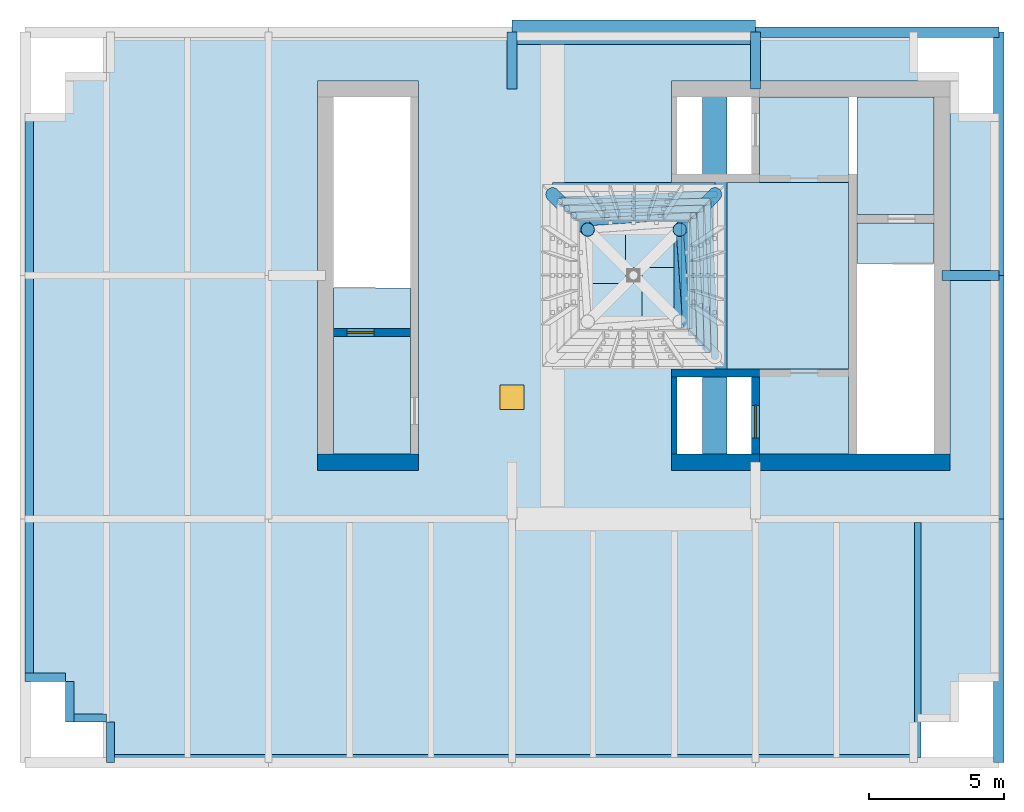
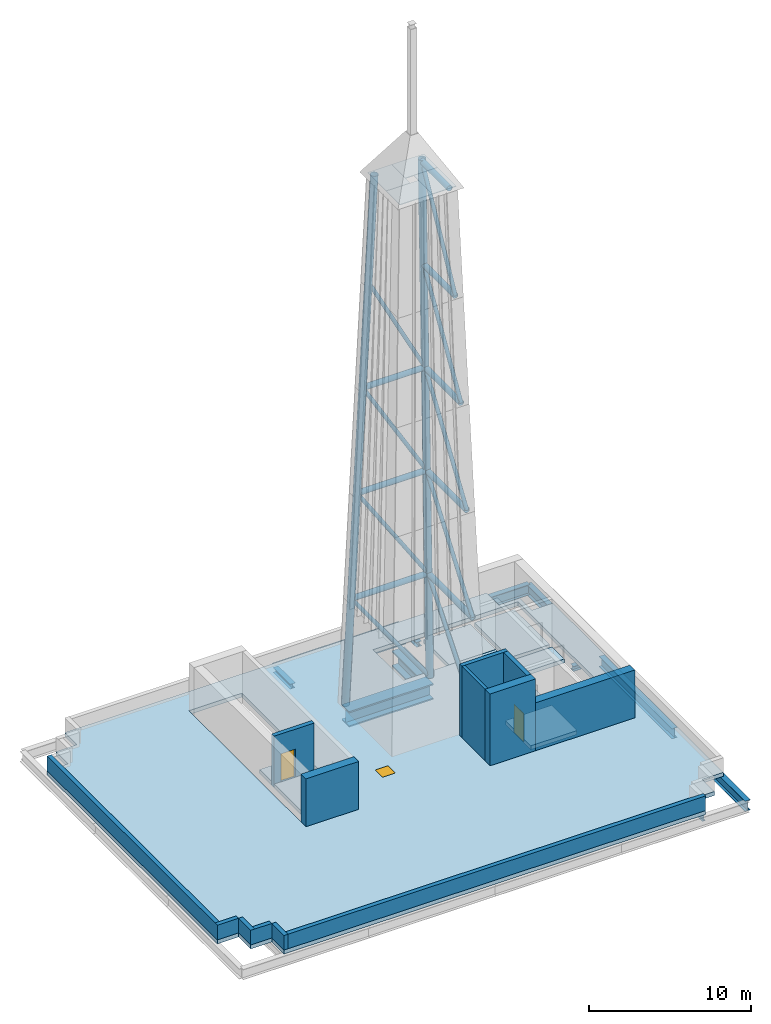
# One storey, part 3 of 8: 22 members, 13 walls, 8 beams, 7 slabs, 4 plates, 2 doors, 1 window, 3 openings.
"""IFC4 building model written with IfcOpenShell, lengths in metres."""

from ifc_helpers import new_model, si_unit, direction, frame, frame_2d, origin, origin_2d, place, context, subcontext, project, spatial, polyline, rectangle, hollow_circle, i_section, outline, extrude, material, layer, layer_set, material_profile, profile_set, type_object, element, fill, save


model = new_model("IFC4")

# Units and contexts
model_context = context("Model", 3, precision=1e-05, world=origin(), true_north=direction((0.0, 1.0)))
body_context = subcontext(model_context, "Body", "Model", "MODEL_VIEW")
ifc_project = project(units=[si_unit("LENGTHUNIT", "METRE"), si_unit("AREAUNIT", "SQUARE_METRE"), si_unit("VOLUMEUNIT", "CUBIC_METRE"), si_unit("PLANEANGLEUNIT", "RADIAN"), si_unit("MASSUNIT", "GRAM", prefix="KILO")], contexts=[model_context])

# Site, building, storey
site_placement = place(None, origin())
site = spatial("IfcSite", under=ifc_project, at=site_placement, CompositionType="ELEMENT")
building_placement = place(site_placement, origin())
building = spatial("IfcBuilding", under=site, at=building_placement, Name="Loomwork Tower", CompositionType="ELEMENT")
storey_placement = place(building_placement, frame((0.0, 0.0, 279.800048828125)))
storey = spatial("IfcBuildingStorey", under=building, at=storey_placement, Name="RF", CompositionType="ELEMENT", Elevation=279.800048828125)

# Members
ifc_material_1 = material(Name="Steel ASTM A992", Category="steel")
ifc_material_profile_1 = material_profile(ifc_material_1, i_section(OverallWidth=0.373291015625, OverallDepth=0.373291015625, WebThickness=0.016357421875, FlangeThickness=0.026123046875, at=origin_2d()), Name="W14x132")
ifc_profile_set_1 = profile_set([ifc_material_profile_1], Name="Steel ASTM A992")
member_type_1 = type_object("IfcMemberType", Name="CORE LINK STRUT W14x132", PredefinedType="STRUT", material=ifc_profile_set_1)
for number, where, z_axis, x_axis, name in (
    (1, (18.0, 27.0, -0.48681640625), (0.0, -1.0, 0.0), (1.0, 0.0, 0.0), "Core link strut G/4-18.000,24.900 RF"),
    (2, (27.0, 27.0, -0.48681640625), (0.0, -1.0, 0.0), (1.0, 0.0, 0.0), "Core link strut G/5-27.000,24.900 RF"),
    (3, (36.0, 18.0, -0.48681640625), (-1.0, 0.0, 0.0), (0.0, -1.0, 0.0), "Core link strut F/6-33.900,18.000 RF"),
):
    element("IfcMember", number, at=place(storey_placement, frame(where, z_axis=z_axis, x_axis=x_axis)), inside=storey, type_object=member_type_1, Name=name, PredefinedType="STRUT", context=body_context, shape_type="SweptSolid", body=[
        extrude(i_section(OverallWidth=0.373291015625, OverallDepth=0.373291015625, WebThickness=0.016357421875, FlangeThickness=0.026123046875, at=origin_2d()), origin(), (0.0, 0.0, 1.0), 2.10009765625),
    ])
ifc_material_2 = material(Name="Steel ASTM A500 Grade C", Category="steel")
ifc_material_profile_2 = material_profile(ifc_material_2, hollow_circle(Radius=0.136474609375, WallThickness=0.01171875, at=origin_2d()), Name="HSS10.750x0.500")
ifc_profile_set_2 = profile_set([ifc_material_profile_2], Name="Steel ASTM A500 Grade C")
member_type_2 = type_object("IfcMemberType", Name="CROWN FRAME SPIRE BRACE HSS10.750x0.500", PredefinedType="BRACE", material=ifc_profile_set_2)
for number, where, z_axis, x_axis, name in (
    (4, (25.5, 15.0, 0.0), (-0.026397938194, 0.582762370783, 0.812213745303), (-0.998975624231, -0.045251543525, 0.0), "Spire brace 0-8 m side 2"),
    (5, (25.5, 21.0, 0.0), (-0.582762370783, -0.026397938194, 0.812213745303), (0.045251543525, -0.998975624231, 0.0), "Spire brace 0-8 m side 3"),
):
    element("IfcMember", number, at=place(storey_placement, frame(where, z_axis=z_axis, x_axis=x_axis)), inside=storey, type_object=member_type_2, Name=name, PredefinedType="BRACE", context=body_context, shape_type="SweptSolid", body=[
        extrude(hollow_circle(Radius=0.136474609375, WallThickness=0.01171875, at=origin_2d()), origin(), (0.0, 0.0, 1.0), 9.849609375),
    ])
for number, where, z_axis, x_axis, name in (
    (6, (25.239990234375, 15.260009765625, 8.0), (-0.027209272828, 0.546254894205, 0.83717695025), (-0.998761756758, -0.049748901873, 0.0), "Spire brace 8-16 m side 2"),
    (7, (25.239990234375, 20.739990234375, 8.0), (-0.546254894205, -0.027209272828, 0.83717695025), (0.049748901873, -0.998761756758, 0.0), "Spire brace 8-16 m side 3"),
):
    element("IfcMember", number, at=place(storey_placement, frame(where, z_axis=z_axis, x_axis=x_axis)), inside=storey, type_object=member_type_2, Name=name, PredefinedType="BRACE", context=body_context, shape_type="SweptSolid", body=[
        extrude(hollow_circle(Radius=0.136474609375, WallThickness=0.01171875, at=origin_2d()), origin(), (0.0, 0.0, 1.0), 9.555908203125),
    ])
for number, where, z_axis, x_axis, name in (
    (8, (24.97998046875, 15.52001953125, 16.0), (-0.028011992888, 0.506346361587, 0.86187510137), (-0.998473252708, -0.055237339054, 0.0), "Spire brace 16-24 m side 2"),
    (9, (24.97998046875, 20.47998046875, 16.0), (-0.506346361587, -0.028011992888, 0.86187510137), (0.055237339054, -0.998473252708, 0.0), "Spire brace 16-24 m side 3"),
):
    element("IfcMember", number, at=place(storey_placement, frame(where, z_axis=z_axis, x_axis=x_axis)), inside=storey, type_object=member_type_2, Name=name, PredefinedType="BRACE", context=body_context, shape_type="SweptSolid", body=[
        extrude(hollow_circle(Radius=0.136474609375, WallThickness=0.01171875, at=origin_2d()), origin(), (0.0, 0.0, 1.0), 9.281982421875),
    ])
for number, where, z_axis, x_axis, name in (
    (10, (24.719970703125, 15.780029296875, 24.0), (-0.028794252892, 0.462898031706, 0.885943735935), (-0.998070908362, -0.062084312681, 0.0), "Spire brace 24-32 m side 2"),
    (11, (24.719970703125, 20.219970703125, 24.0), (-0.462898031706, -0.028794252892, 0.885943735935), (0.062084312681, -0.998070908362, 0.0), "Spire brace 24-32 m side 3"),
):
    element("IfcMember", number, at=place(storey_placement, frame(where, z_axis=z_axis, x_axis=x_axis)), inside=storey, type_object=member_type_2, Name=name, PredefinedType="BRACE", context=body_context, shape_type="SweptSolid", body=[
        extrude(hollow_circle(Radius=0.136474609375, WallThickness=0.01171875, at=origin_2d()), origin(), (0.0, 0.0, 1.0), 9.030029296875),
    ])
member_1_placement = place(storey_placement, frame((24.4599609375, 16.0400390625, 32.0), z_axis=(-0.0295422611, 0.415838531592, 0.908958508653), x_axis=(-0.997485984962, -0.070864023346, 0.0)))
element("IfcMember", 12, at=member_1_placement, inside=storey, type_object=member_type_2, Name="Spire brace 32-40 m side 2", PredefinedType="BRACE", context=body_context, shape_type="SweptSolid", body=[
    extrude(hollow_circle(Radius=0.136474609375, WallThickness=0.01171875, at=origin_2d()), origin(), (0.0, 0.0, 1.0), 8.80126953125),
])
ifc_material_3 = material(Name="Steel ASTM A500 Grade C", Category="steel")
ifc_material_profile_3 = material_profile(ifc_material_3, hollow_circle(Radius=0.25390625, WallThickness=0.01171875, at=origin_2d()), Name="HSS20.000x0.500")
ifc_profile_set_3 = profile_set([ifc_material_profile_3], Name="Steel ASTM A500 Grade C")
member_type_3 = type_object("IfcMemberType", Name="CROWN FRAME SPIRE LEG HSS20.000x0.500", PredefinedType="POST", material=ifc_profile_set_3)
for number, where, z_axis, x_axis, name in (
    (13, (25.5, 21.0, 0.0), (-0.03230324804, -0.03230324804, 0.998955955151), (0.707106781187, -0.707106781187, 0.0), "Spire leg 3"),
    (14, (19.5, 21.0, 0.0), (0.03230324804, -0.03230324804, 0.998955955151), (0.707106781187, 0.707106781187, 0.0), "Spire leg 4"),
):
    element("IfcMember", number, at=place(storey_placement, frame(where, z_axis=z_axis, x_axis=x_axis)), inside=storey, type_object=member_type_3, Name=name, PredefinedType="POST", context=body_context, shape_type="SweptSolid", body=[
        extrude(hollow_circle(Radius=0.25390625, WallThickness=0.01171875, at=origin_2d()), origin(), (0.0, 0.0, 1.0), 40.2451171875),
    ])
ifc_material_4 = material(Name="Steel ASTM A500 Grade C", Category="steel")
ifc_material_profile_4 = material_profile(ifc_material_4, hollow_circle(Radius=0.203125, WallThickness=0.01171875, at=origin_2d()), Name="HSS16.000x0.500")
ifc_profile_set_4 = profile_set([ifc_material_profile_4], Name="Steel ASTM A500 Grade C")
member_type_4 = type_object("IfcMemberType", Name="CROWN FRAME SPIRE RING HSS16.000x0.500", PredefinedType="STRUT", material=ifc_profile_set_4)
for number, where, z_axis, x_axis, name in (
    (15, (25.239990234375, 15.260009765625, 8.0), (0.0, 1.0, 0.0), (-1.0, 0.0, 0.0), "Spire ring 8 m side 2"),
    (16, (25.239990234375, 20.739990234375, 8.0), (-1.0, 0.0, 0.0), (0.0, -1.0, 0.0), "Spire ring 8 m side 3"),
):
    element("IfcMember", number, at=place(storey_placement, frame(where, z_axis=z_axis, x_axis=x_axis)), inside=storey, type_object=member_type_4, Name=name, PredefinedType="STRUT", context=body_context, shape_type="SweptSolid", body=[
        extrude(hollow_circle(Radius=0.203125, WallThickness=0.01171875, at=origin_2d()), origin(), (0.0, 0.0, 1.0), 5.47998046875),
    ])
for number, where, z_axis, x_axis, name in (
    (17, (24.97998046875, 15.52001953125, 16.0), (0.0, 1.0, 0.0), (-1.0, 0.0, 0.0), "Spire ring 16 m side 2"),
    (18, (24.97998046875, 20.47998046875, 16.0), (-1.0, 0.0, 0.0), (0.0, -1.0, 0.0), "Spire ring 16 m side 3"),
):
    element("IfcMember", number, at=place(storey_placement, frame(where, z_axis=z_axis, x_axis=x_axis)), inside=storey, type_object=member_type_4, Name=name, PredefinedType="STRUT", context=body_context, shape_type="SweptSolid", body=[
        extrude(hollow_circle(Radius=0.203125, WallThickness=0.01171875, at=origin_2d()), origin(), (0.0, 0.0, 1.0), 4.9599609375),
    ])
for number, where, z_axis, x_axis, name in (
    (19, (24.719970703125, 15.780029296875, 24.0), (0.0, 1.0, 0.0), (-1.0, 0.0, 0.0), "Spire ring 24 m side 2"),
    (20, (24.719970703125, 20.219970703125, 24.0), (-1.0, 0.0, 0.0), (0.0, -1.0, 0.0), "Spire ring 24 m side 3"),
):
    element("IfcMember", number, at=place(storey_placement, frame(where, z_axis=z_axis, x_axis=x_axis)), inside=storey, type_object=member_type_4, Name=name, PredefinedType="STRUT", context=body_context, shape_type="SweptSolid", body=[
        extrude(hollow_circle(Radius=0.203125, WallThickness=0.01171875, at=origin_2d()), origin(), (0.0, 0.0, 1.0), 4.43994140625),
    ])
member_2_placement = place(storey_placement, frame((24.4599609375, 16.0400390625, 32.0), z_axis=(0.0, 1.0, 0.0), x_axis=(-1.0, 0.0, 0.0)))
element("IfcMember", 21, at=member_2_placement, inside=storey, type_object=member_type_4, Name="Spire ring 32 m side 2", PredefinedType="STRUT", context=body_context, shape_type="SweptSolid", body=[
    extrude(hollow_circle(Radius=0.203125, WallThickness=0.01171875, at=origin_2d()), origin(), (0.0, 0.0, 1.0), 3.919921875),
])
member_3_placement = place(storey_placement, frame((24.199951171875, 16.300048828125, 40.0), z_axis=(0.0, 1.0, 0.0), x_axis=(-1.0, 0.0, 0.0)))
element("IfcMember", 22, at=member_3_placement, inside=storey, type_object=member_type_4, Name="Spire ring 40 m side 2", PredefinedType="STRUT", context=body_context, shape_type="SweptSolid", body=[
    extrude(hollow_circle(Radius=0.203125, WallThickness=0.01171875, at=origin_2d()), origin(), (0.0, 0.0, 1.0), 3.39990234375),
])

# Beams
ifc_material_5 = material(Name="Steel ASTM A992", Category="steel")
ifc_material_profile_5 = material_profile(ifc_material_5, i_section(OverallWidth=0.228271484375, OverallDepth=0.607177734375, WebThickness=0.01123046875, FlangeThickness=0.017333984375, at=origin_2d()), Name="W24x76")
ifc_profile_set_5 = profile_set([ifc_material_profile_5], Name="Steel ASTM A992")
beam_type_1 = type_object("IfcBeamType", Name="ROOF JOIST W24x76", PredefinedType="JOIST", material=ifc_profile_set_5)
beam_1_placement = place(storey_placement, frame((33.0, 0.18994140625, -0.603515625), z_axis=(0.0, 1.0, 0.0), x_axis=(-1.0, 0.0, 0.0)))
element("IfcBeam", 23, at=beam_1_placement, inside=storey, type_object=beam_type_1, Name="Roof Joist 33.000,0.000-33.000,9.000 RF", PredefinedType="JOIST", context=body_context, shape_type="SweptSolid", body=[
    extrude(i_section(OverallWidth=0.228271484375, OverallDepth=0.607177734375, WebThickness=0.01123046875, FlangeThickness=0.017333984375, at=origin_2d()), origin(), (0.0, 0.0, 1.0), 8.677001953125),
])
ifc_material_6 = material(Name="Steel ASTM A992", Category="steel")
ifc_material_profile_6 = material_profile(ifc_material_6, i_section(OverallWidth=0.381103515625, OverallDepth=0.77978515625, WebThickness=0.01806640625, FlangeThickness=0.0302734375, at=origin_2d()), Name="W30x191")
ifc_profile_set_6 = profile_set([ifc_material_profile_6], Name="Steel ASTM A992")
beam_type_2 = type_object("IfcBeamType", Name="SPANDREL GIRDER W30x191", PredefinedType="SPANDREL", material=ifc_profile_set_6)
for number, where, z_axis, x_axis, name in (
    (24, (27.0, 27.0, -0.68994140625), (1.0, 0.0, 0.0), (0.0, 1.0, 0.0), "Spandrel Girder G/5-G/6 RF"),
    (25, (36.0, 0.0, -0.68994140625), (0.0, 1.0, 0.0), (-1.0, 0.0, 0.0), "Spandrel Girder D/6-E/6 RF"),
    (26, (36.0, 9.0, -0.68994140625), (0.0, 1.0, 0.0), (-1.0, 0.0, 0.0), "Spandrel Girder E/6-F/6 RF"),
    (27, (36.0, 18.0, -0.68994140625), (0.0, 1.0, 0.0), (-1.0, 0.0, 0.0), "Spandrel Girder F/6-G/6 RF"),
):
    element("IfcBeam", number, at=place(storey_placement, frame(where, z_axis=z_axis, x_axis=x_axis)), inside=storey, type_object=beam_type_2, Name=name, PredefinedType="SPANDREL", context=body_context, shape_type="SweptSolid", body=[
        extrude(i_section(OverallWidth=0.381103515625, OverallDepth=0.77978515625, WebThickness=0.01806640625, FlangeThickness=0.0302734375, at=origin_2d()), origin(), (0.0, 0.0, 1.0), 9.0),
    ])
ifc_material_7 = material(Name="Steel ASTM A572 Grade 50 plate", Category="steel")
ifc_material_profile_7 = material_profile(ifc_material_7, i_section(OverallWidth=0.89990234375, OverallDepth=1.179931640625, WebThickness=0.030029296875, FlangeThickness=0.10009765625, at=origin_2d()), Name="PG1180x900")
ifc_profile_set_7 = profile_set([ifc_material_profile_7], Name="Steel ASTM A572 Grade 50 plate")
beam_type_3 = type_object("IfcBeamType", Name="SPIRE BASE GIRDER PG1180x900", PredefinedType="BEAM", material=ifc_profile_set_7)
beam_2_placement = place(storey_placement, frame((25.5, 11.10009765625, -0.89013671875), z_axis=(0.0, 1.0, 0.0), x_axis=(-1.0, 0.0, 0.0)))
element("IfcBeam", 28, at=beam_2_placement, inside=storey, type_object=beam_type_3, Name="Spire base girder x 25.5", PredefinedType="BEAM", context=body_context, shape_type="SweptSolid", body=[
    extrude(i_section(OverallWidth=0.89990234375, OverallDepth=1.179931640625, WebThickness=0.030029296875, FlangeThickness=0.10009765625, at=origin_2d()), origin(), (0.0, 0.0, 1.0), 13.7998046875),
])
beam_3_placement = place(storey_placement, frame((19.5, 21.0, -0.89013671875), z_axis=(1.0, 0.0, 0.0), x_axis=(0.0, 1.0, 0.0)))
element("IfcBeam", 29, at=beam_3_placement, inside=storey, type_object=beam_type_3, Name="Spire base girder y 21", PredefinedType="BEAM", context=body_context, shape_type="SweptSolid", body=[
    extrude(i_section(OverallWidth=0.89990234375, OverallDepth=1.179931640625, WebThickness=0.030029296875, FlangeThickness=0.10009765625, at=origin_2d()), origin(), (0.0, 0.0, 1.0), 6.0),
])
ifc_material_8 = material(Name="Steel ASTM A572 Grade 50 plate", Category="steel")
ifc_material_profile_8 = material_profile(ifc_material_8, i_section(OverallWidth=0.89990234375, OverallDepth=1.179931640625, WebThickness=0.030029296875, FlangeThickness=0.10009765625, at=origin_2d()), Name="PG1180x900")
ifc_profile_set_8 = profile_set([ifc_material_profile_8], Name="Steel ASTM A572 Grade 50 plate")
beam_type_4 = type_object("IfcBeamType", Name="SPIRE CARRIER SPANDREL PG1180x900", PredefinedType="SPANDREL", material=ifc_profile_set_8)
beam_4_placement = place(storey_placement, frame((18.0, 27.0, -0.89013671875), z_axis=(1.0, 0.0, 0.0), x_axis=(0.0, 1.0, 0.0)))
element("IfcBeam", 30, at=beam_4_placement, inside=storey, type_object=beam_type_4, Name="Spire Carrier Spandrel G/4-G/5 RF", PredefinedType="SPANDREL", context=body_context, shape_type="SweptSolid", body=[
    extrude(i_section(OverallWidth=0.89990234375, OverallDepth=1.179931640625, WebThickness=0.030029296875, FlangeThickness=0.10009765625, at=origin_2d()), origin(), (0.0, 0.0, 1.0), 9.0),
])

# Plates
ifc_material_9 = material(Name="Steel grating, galvanised", Category="steel")
ifc_layer_1 = layer(ifc_material_9, 0.050048828125)
ifc_layer_set_1 = layer_set([ifc_layer_1], Name="CROWN FRAME SPIRE CAP GRATING")
plate_type = type_object("IfcPlateType", Name="CROWN FRAME SPIRE CAP GRATING", PredefinedType="SHEET", material=ifc_layer_set_1)
plate_1_placement = place(storey_placement, frame((21.64990234375, 16.85009765625, 40.203125), z_axis=(0.0, 0.0, 1.0), x_axis=(1.0, 0.0, 0.0)))
element("IfcPlate", 31, at=plate_1_placement, inside=storey, type_object=plate_type, Name="Spire cap grating 1", PredefinedType="SHEET", context=body_context, shape_type="SweptSolid", body=[
    extrude(rectangle(XDim=2.300048828125, YDim=1.699951171875, at=origin_2d()), origin(), (0.0, 0.0, 1.0), 0.050048828125),
])
plate_2_placement = place(storey_placement, frame((23.64990234375, 17.14990234375, 40.203125), z_axis=(0.0, 0.0, 1.0), x_axis=(1.0, 0.0, 0.0)))
element("IfcPlate", 32, at=plate_2_placement, inside=storey, type_object=plate_type, Name="Spire cap grating 2", PredefinedType="SHEET", context=body_context, shape_type="SweptSolid", body=[
    extrude(rectangle(XDim=1.699951171875, YDim=2.300048828125, at=origin_2d()), origin(), (0.0, 0.0, 1.0), 0.050048828125),
])
plate_3_placement = place(storey_placement, frame((23.35009765625, 19.14990234375, 40.203125), z_axis=(0.0, 0.0, 1.0), x_axis=(1.0, 0.0, 0.0)))
element("IfcPlate", 33, at=plate_3_placement, inside=storey, type_object=plate_type, Name="Spire cap grating 3", PredefinedType="SHEET", context=body_context, shape_type="SweptSolid", body=[
    extrude(rectangle(XDim=2.300048828125, YDim=1.699951171875, at=origin_2d()), origin(), (0.0, 0.0, 1.0), 0.050048828125),
])
plate_4_placement = place(storey_placement, frame((21.35009765625, 18.85009765625, 40.203125), z_axis=(0.0, 0.0, 1.0), x_axis=(1.0, 0.0, 0.0)))
element("IfcPlate", 34, at=plate_4_placement, inside=storey, type_object=plate_type, Name="Spire cap grating 4", PredefinedType="SHEET", context=body_context, shape_type="SweptSolid", body=[
    extrude(rectangle(XDim=1.699951171875, YDim=2.300048828125, at=origin_2d()), origin(), (0.0, 0.0, 1.0), 0.050048828125),
])

# Slabs
ifc_material_10 = material(Name="Concrete 5000 psi (34 MPa) on composite metal deck", Category="concrete")
ifc_layer_2 = layer(ifc_material_10, 0.300048828125)
ifc_layer_set_2 = layer_set([ifc_layer_2], Name="Floor slab 300")
slab_type_1 = type_object("IfcSlabType", Name="Floor slab 300", PredefinedType="FLOOR", material=ifc_layer_set_2)
slab_1_placement = place(storey_placement, frame((0.0, 0.0, -0.300048828125)))
element("IfcSlab", 35, at=slab_1_placement, inside=storey, type_object=slab_type_1, Name="Stair A head-house floor slab", PredefinedType="FLOOR", context=body_context, shape_type="SweptSolid", body=[
    extrude(outline(polyline([(14.25, 11.39990234375), (11.39990234375, 11.39990234375), (11.39990234375, 15.75), (14.25, 15.75), (14.25, 11.39990234375)])), origin(), (0.0, 0.0, 1.0), 0.300048828125),
])
slab_2_placement = place(storey_placement, frame((0.0, 0.0, -0.300048828125)))
element("IfcSlab", 36, at=slab_2_placement, inside=storey, type_object=slab_type_1, Name="Stair B head-house floor slab", PredefinedType="FLOOR", context=body_context, shape_type="SweptSolid", body=[
    extrude(outline(polyline([(33.60009765625, 20.25), (30.75, 20.25), (30.75, 24.60009765625), (33.60009765625, 24.60009765625), (33.60009765625, 20.25)])), origin(), (0.0, 0.0, 1.0), 0.300048828125),
])
slab_3_placement = place(storey_placement, frame((0.0, 0.0, -0.300048828125)))
element("IfcSlab", 37, at=slab_3_placement, inside=storey, type_object=slab_type_1, Name="Stair B head-house floor slab bay 1", PredefinedType="FLOOR", context=body_context, shape_type="SweptSolid", body=[
    extrude(outline(polyline([(30.449951171875, 14.550048828125), (30.449951171875, 11.39990234375), (27.14990234375, 11.39990234375), (27.14990234375, 14.25), (27.14990234375, 14.550048828125), (30.449951171875, 14.550048828125)])), origin(), (0.0, 0.0, 1.0), 0.300048828125),
])
slab_4_placement = place(storey_placement, frame((0.0, 0.0, -0.300048828125)))
element("IfcSlab", 38, at=slab_4_placement, inside=storey, type_object=slab_type_1, Name="Stair B head-house floor slab bay 2", PredefinedType="FLOOR", context=body_context, shape_type="SweptSolid", body=[
    extrude(outline(polyline([(27.14990234375, 21.449951171875), (27.14990234375, 21.75), (27.14990234375, 24.60009765625), (30.449951171875, 24.60009765625), (30.449951171875, 21.449951171875), (27.14990234375, 21.449951171875)])), origin(), (0.0, 0.0, 1.0), 0.300048828125),
])

# Slab, opening, window
ifc_material_11 = material(Name="Concrete 5000 psi (34 MPa) on composite metal deck", Category="concrete")
ifc_layer_3 = layer(ifc_material_11, 0.300048828125)
ifc_layer_set_3 = layer_set([ifc_layer_3], Name="Roof slab 300")
slab_type_2 = type_object("IfcSlabType", Name="Roof slab 300", PredefinedType="ROOF", material=ifc_layer_set_3)
slab_5_placement = place(storey_placement, frame((0.0, 0.0, -0.300048828125)))
slab_5 = element("IfcSlab", 39, at=slab_5_placement, inside=storey, type_object=slab_type_2, Name="Main roof slab", PredefinedType="ROOF", context=body_context, shape_type="SweptSolid", body=[
    extrude(outline(polyline([(3.0, 1.5), (1.5, 1.5), (1.5, 3.0), (0.0, 3.0), (0.0, 24.0), (1.5, 24.0), (1.5, 25.5), (3.0, 25.5), (3.0, 27.0), (33.0, 27.0), (33.0, 25.5), (34.5, 25.5), (34.5, 24.0), (36.0, 24.0), (36.0, 3.0), (34.5, 3.0), (34.5, 1.5), (33.0, 1.5), (33.0, 0.0), (3.0, 0.0), (3.0, 1.5)]), holes=[polyline([(14.550048828125, 10.800048828125), (14.550048828125, 25.199951171875), (10.800048828125, 25.199951171875), (10.800048828125, 10.800048828125), (14.550048828125, 10.800048828125)]), polyline([(23.89990234375, 10.800048828125), (30.449951171875, 10.800048828125), (30.60009765625, 10.800048828125), (34.199951171875, 10.800048828125), (34.199951171875, 25.199951171875), (30.60009765625, 25.199951171875), (30.449951171875, 25.199951171875), (23.89990234375, 25.199951171875), (23.89990234375, 21.449951171875), (30.449951171875, 21.449951171875), (30.449951171875, 14.550048828125), (23.89990234375, 14.550048828125), (23.89990234375, 10.800048828125)])]), origin(), (0.0, 0.0, 1.0), 0.300048828125),
])
opening_1_placement = place(slab_5_placement, frame((18.0, 13.5, 0.0)))
opening_1 = element("IfcOpeningElement", 40, at=opening_1_placement, cuts=slab_5, Name="Opening RH1", PredefinedType="OPENING", context=body_context, shape_type="SweptSolid", body=[
    extrude(rectangle(XDim=0.89990234375, YDim=0.89990234375, at=origin_2d()), origin(), (0.0, 0.0, 1.0), 0.300048828125),
])
ifc_material_12 = material(Name="Aluminium hatch with insulated lid", Category="aluminium")
window_type = type_object("IfcWindowType", Name="Roof access hatch 900", PartitioningType="SINGLE_PANEL", PredefinedType="SKYLIGHT", material=ifc_material_12)
window_placement = place(opening_1_placement, frame((0.0, 0.0, 0.25)))
window = element("IfcWindow", 41, at=window_placement, inside=storey, type_object=window_type, Name="Roof access hatch RF", OverallHeight=0.89990234375, OverallWidth=0.89990234375, PartitioningType="SINGLE_PANEL", PredefinedType="SKYLIGHT", context=body_context, shape_type="SweptSolid", body=[
    extrude(rectangle(XDim=0.89990234375, YDim=0.89990234375, at=origin_2d()), origin(), (0.0, 0.0, 1.0), 0.050048828125),
])
fill(opening_1, window)

# Slabs
ifc_material_13 = material(Name="Concrete 5000 psi (34 MPa)", Category="concrete")
ifc_layer_4 = layer(ifc_material_13, 0.300048828125)
ifc_layer_set_4 = layer_set([ifc_layer_4], Name="Stair landing 300")
slab_type_3 = type_object("IfcSlabType", Name="Stair landing 300", PredefinedType="LANDING", material=ifc_layer_set_4)
slab_6_placement = place(storey_placement, frame((0.0, 0.0, -0.300048828125)))
element("IfcSlab", 42, at=slab_6_placement, inside=storey, type_object=slab_type_3, Name="Stair A top landing", PredefinedType="LANDING", context=body_context, shape_type="SweptSolid", body=[
    extrude(outline(polyline([(11.39990234375, 16.050048828125), (14.25, 16.050048828125), (14.25, 17.550048828125), (11.39990234375, 17.550048828125), (11.39990234375, 16.050048828125)])), origin(), (0.0, 0.0, 1.0), 0.300048828125),
])
slab_7_placement = place(storey_placement, frame((0.0, 0.0, -0.300048828125)))
element("IfcSlab", 43, at=slab_7_placement, inside=storey, type_object=slab_type_3, Name="Stair B top landing", PredefinedType="LANDING", context=body_context, shape_type="SweptSolid", body=[
    extrude(outline(polyline([(30.75, 18.449951171875), (33.60009765625, 18.449951171875), (33.60009765625, 19.949951171875), (30.75, 19.949951171875), (30.75, 18.449951171875)])), origin(), (0.0, 0.0, 1.0), 0.300048828125),
])

# Wall, opening, door
ifc_material_14 = material(Name="Concrete 14000 psi (97 MPa)", Category="concrete")
ifc_layer_5 = layer(ifc_material_14, 0.300048828125)
ifc_layer_set_5 = layer_set([ifc_layer_5], Name="Core shear wall 300")
wall_type_1 = type_object("IfcWallType", Name="Core shear wall 300", PredefinedType="SHEAR", material=ifc_layer_set_5)
wall_1_placement = place(storey_placement, frame((11.39990234375, 15.89990234375, -0.300048828125), z_axis=(0.0, 0.0, 1.0), x_axis=(1.0, 0.0, 0.0)))
wall_1 = element("IfcWall", 44, at=wall_1_placement, inside=storey, type_object=wall_type_1, Name="Stair A head-house wall stair RF", PredefinedType="SHEAR", context=body_context, shape_type="SweptSolid", body=[
    extrude(rectangle(XDim=2.85009765625, YDim=0.300048828125, at=frame_2d((1.425048828125, 0.0))), origin(), (0.0, 0.0, 1.0), 3.89990234375),
])
opening_2_placement = place(wall_1_placement, frame((0.5, 0.0, 0.300048828125)))
opening_2 = element("IfcOpeningElement", 45, at=opening_2_placement, cuts=wall_1, Name="Opening D4", PredefinedType="OPENING", context=body_context, shape_type="SweptSolid", body=[
    extrude(rectangle(XDim=1.0, YDim=2.10009765625, at=frame_2d((0.5, 1.050048828125))), frame((0.0, 0.159912109375, 0.0), z_axis=(0.0, -1.0, 0.0), x_axis=(1.0, 0.0, 0.0)), (0.0, 0.0, 1.0), 0.320068359375),
])
ifc_material_15 = material(Name="Hollow metal door and frame")
door_type_1 = type_object("IfcDoorType", Name="Stair door 1000", OperationType="SINGLE_SWING_RIGHT", PredefinedType="DOOR", material=ifc_material_15)
door_1_placement = place(opening_2_placement, origin())
door_1 = element("IfcDoor", 46, at=door_1_placement, inside=storey, type_object=door_type_1, Name="Stair A head-house stair door", OperationType="SINGLE_SWING_LEFT", OverallHeight=2.10009765625, OverallWidth=1.0, PredefinedType="DOOR", context=body_context, shape_type="SweptSolid", body=[
    extrude(rectangle(XDim=1.0, YDim=2.10009765625, at=frame_2d((0.5, 1.050048828125))), frame((0.0, 0.02490234375, 0.0), z_axis=(0.0, -1.0, 0.0), x_axis=(1.0, 0.0, 0.0)), (0.0, 0.0, 1.0), 0.050048828125),
])
fill(opening_2, door_1)

wall_2_placement = place(storey_placement, frame((27.0, 11.39990234375, -0.300048828125), z_axis=(0.0, 0.0, 1.0), x_axis=(0.0, 1.0, 0.0)))
wall_2 = element("IfcWall", 47, at=wall_2_placement, inside=storey, type_object=wall_type_1, Name="Stair B and fire service lift penthouse wall LF1-east RF", PredefinedType="SHEAR", context=body_context, shape_type="SweptSolid", body=[
    extrude(rectangle(XDim=2.85009765625, YDim=0.300048828125, at=frame_2d((1.425048828125, 0.0))), origin(), (0.0, 0.0, 1.0), 5.699951171875),
])
opening_3_placement = place(wall_2_placement, frame((0.60009765625, 0.0, 0.300048828125)))
opening_3 = element("IfcOpeningElement", 48, at=opening_3_placement, cuts=wall_2, Name="Opening LD2", PredefinedType="OPENING", context=body_context, shape_type="SweptSolid", body=[
    extrude(rectangle(XDim=1.199951171875, YDim=2.10009765625, at=frame_2d((0.60009765625, 1.050048828125))), frame((0.0, 0.159912109375, 0.0), z_axis=(0.0, -1.0, 0.0), x_axis=(1.0, 0.0, 0.0)), (0.0, 0.0, 1.0), 0.320068359375),
])
ifc_material_16 = material(Name="Hollow metal door and frame")
door_type_2 = type_object("IfcDoorType", Name="Lift landing door 1200", OperationType="SLIDING_TO_LEFT", PredefinedType="DOOR", material=ifc_material_16)
door_2_placement = place(opening_3_placement, origin())
door_2 = element("IfcDoor", 49, at=door_2_placement, inside=storey, type_object=door_type_2, Name="Lift landing door LF1", OperationType="SLIDING_TO_LEFT", OverallHeight=2.10009765625, OverallWidth=1.199951171875, PredefinedType="DOOR", context=body_context, shape_type="SweptSolid", body=[
    extrude(rectangle(XDim=1.199951171875, YDim=2.10009765625, at=frame_2d((0.60009765625, 1.050048828125))), frame((0.0, 0.02490234375, 0.0), z_axis=(0.0, -1.0, 0.0), x_axis=(1.0, 0.0, 0.0)), (0.0, 0.0, 1.0), 0.050048828125),
])
fill(opening_3, door_2)

# Walls
wall_3_placement = place(storey_placement, frame((23.89990234375, 14.39990234375, -0.300048828125), z_axis=(0.0, 0.0, 1.0), x_axis=(1.0, 0.0, 0.0)))
element("IfcWall", 50, at=wall_3_placement, inside=storey, type_object=wall_type_1, Name="Stair B and fire service lift penthouse wall LF1-front RF", PredefinedType="SHEAR", context=body_context, shape_type="SweptSolid", body=[
    extrude(rectangle(XDim=3.25, YDim=0.300048828125, at=frame_2d((1.625, 0.0))), origin(), (0.0, 0.0, 1.0), 5.699951171875),
])
ifc_material_17 = material(Name="Concrete 14000 psi (97 MPa)", Category="concrete")
ifc_layer_6 = layer(ifc_material_17, 0.60009765625)
ifc_layer_set_6 = layer_set([ifc_layer_6], Name="Core shear wall 600")
wall_type_2 = type_object("IfcWallType", Name="Core shear wall 600", PredefinedType="SHEAR", material=ifc_layer_set_6)
wall_4_placement = place(storey_placement, frame((10.800048828125, 11.10009765625, -0.300048828125), z_axis=(0.0, 0.0, 1.0), x_axis=(1.0, 0.0, 0.0)))
element("IfcWall", 51, at=wall_4_placement, inside=storey, type_object=wall_type_2, Name="Stair A head-house wall south RF", PredefinedType="SHEAR", context=body_context, shape_type="SweptSolid", body=[
    extrude(rectangle(XDim=3.75, YDim=0.60009765625, at=frame_2d((1.875, 0.0))), origin(), (0.0, 0.0, 1.0), 3.89990234375),
])
wall_5_placement = place(storey_placement, frame((23.89990234375, 11.10009765625, -0.300048828125), z_axis=(0.0, 0.0, 1.0), x_axis=(1.0, 0.0, 0.0)))
element("IfcWall", 52, at=wall_5_placement, inside=storey, type_object=wall_type_2, Name="Stair B and fire service lift penthouse wall LF1-south RF", PredefinedType="SHEAR", context=body_context, shape_type="SweptSolid", body=[
    extrude(rectangle(XDim=3.25, YDim=0.60009765625, at=frame_2d((1.625, 0.0))), origin(), (0.0, 0.0, 1.0), 5.699951171875),
])
wall_6_placement = place(storey_placement, frame((27.14990234375, 11.10009765625, -0.300048828125), z_axis=(0.0, 0.0, 1.0), x_axis=(1.0, 0.0, 0.0)))
element("IfcWall", 53, at=wall_6_placement, inside=storey, type_object=wall_type_2, Name="Stair B and fire service lift penthouse wall south RF", PredefinedType="SHEAR", context=body_context, shape_type="SweptSolid", body=[
    extrude(rectangle(XDim=7.050048828125, YDim=0.60009765625, at=frame_2d((3.52490234375, 0.0))), origin(), (0.0, 0.0, 1.0), 3.89990234375),
])
ifc_material_18 = material(Name="Concrete 14000 psi (97 MPa)", Category="concrete")
ifc_layer_7 = layer(ifc_material_18, 0.199951171875)
ifc_layer_set_7 = layer_set([ifc_layer_7], Name="Lift shaft wall 200")
wall_type_3 = type_object("IfcWallType", Name="Lift shaft wall 200", PredefinedType="SHEAR", material=ifc_layer_set_7)
wall_7_placement = place(storey_placement, frame((24.0, 11.39990234375, -0.300048828125), z_axis=(0.0, 0.0, 1.0), x_axis=(0.0, 1.0, 0.0)))
element("IfcWall", 54, at=wall_7_placement, inside=storey, type_object=wall_type_3, Name="Stair B and fire service lift penthouse wall LF1-west RF", PredefinedType="SHEAR", context=body_context, shape_type="SweptSolid", body=[
    extrude(rectangle(XDim=2.85009765625, YDim=0.199951171875, at=frame_2d((1.425048828125, 0.0))), origin(), (0.0, 0.0, 1.0), 5.699951171875),
])
ifc_material_19 = material(Name="Limestone on concrete masonry", Category="masonry")
ifc_layer_8 = layer(ifc_material_19, 0.300048828125)
ifc_layer_set_8 = layer_set([ifc_layer_8], Name="Parapet wall 300")
wall_type_4 = type_object("IfcWallType", Name="Parapet wall 300", PredefinedType="PARAPET", material=ifc_layer_set_8)
for number, where, z_axis, x_axis, name in (
    (55, (3.0, 1.64990234375, 0.0), (0.0, 0.0, 1.0), (-1.0, 0.0, 0.0), "Parapet RF 1"),
    (56, (1.64990234375, 1.5, 0.0), (0.0, 0.0, 1.0), (0.0, 1.0, 0.0), "Parapet RF 2"),
    (57, (1.5, 3.14990234375, 0.0), (0.0, 0.0, 1.0), (-1.0, 0.0, 0.0), "Parapet RF 3"),
):
    element("IfcWall", number, at=place(storey_placement, frame(where, z_axis=z_axis, x_axis=x_axis)), inside=storey, type_object=wall_type_4, Name=name, PredefinedType="PARAPET", context=body_context, shape_type="SweptSolid", body=[
        extrude(rectangle(XDim=1.5, YDim=0.300048828125, at=frame_2d((0.75, 0.0))), origin(), (0.0, 0.0, 1.0), 1.099853515625),
    ])
wall_8_placement = place(storey_placement, frame((0.14990234375, 3.0, 0.0), z_axis=(0.0, 0.0, 1.0), x_axis=(0.0, 1.0, 0.0)))
element("IfcWall", 58, at=wall_8_placement, inside=storey, type_object=wall_type_4, Name="Parapet RF 4", PredefinedType="PARAPET", context=body_context, shape_type="SweptSolid", body=[
    extrude(rectangle(XDim=21.0, YDim=0.300048828125, at=frame_2d((10.5, 0.0))), origin(), (0.0, 0.0, 1.0), 1.099853515625),
])
wall_9_placement = place(storey_placement, frame((33.0, 0.14990234375, 0.0), z_axis=(0.0, 0.0, 1.0), x_axis=(-1.0, 0.0, 0.0)))
element("IfcWall", 59, at=wall_9_placement, inside=storey, type_object=wall_type_4, Name="Parapet RF 19", PredefinedType="PARAPET", context=body_context, shape_type="SweptSolid", body=[
    extrude(rectangle(XDim=30.0, YDim=0.300048828125, at=frame_2d((15.0, 0.0))), origin(), (0.0, 0.0, 1.0), 1.099853515625),
])
wall_10_placement = place(storey_placement, frame((3.14990234375, 0.0, 0.0), z_axis=(0.0, 0.0, 1.0), x_axis=(0.0, 1.0, 0.0)))
element("IfcWall", 60, at=wall_10_placement, inside=storey, type_object=wall_type_4, Name="Parapet RF 20", PredefinedType="PARAPET", context=body_context, shape_type="SweptSolid", body=[
    extrude(rectangle(XDim=1.5, YDim=0.300048828125, at=frame_2d((0.75, 0.0))), origin(), (0.0, 0.0, 1.0), 1.099853515625),
])

save(model, "model.ifc")
